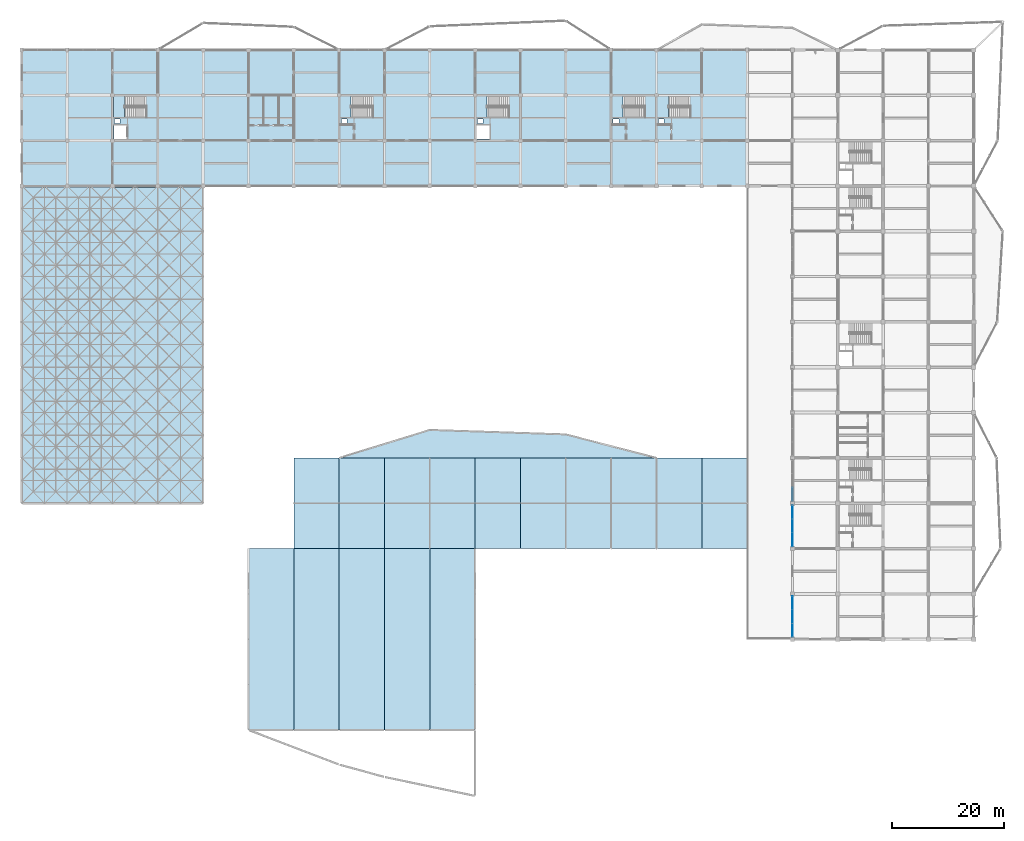
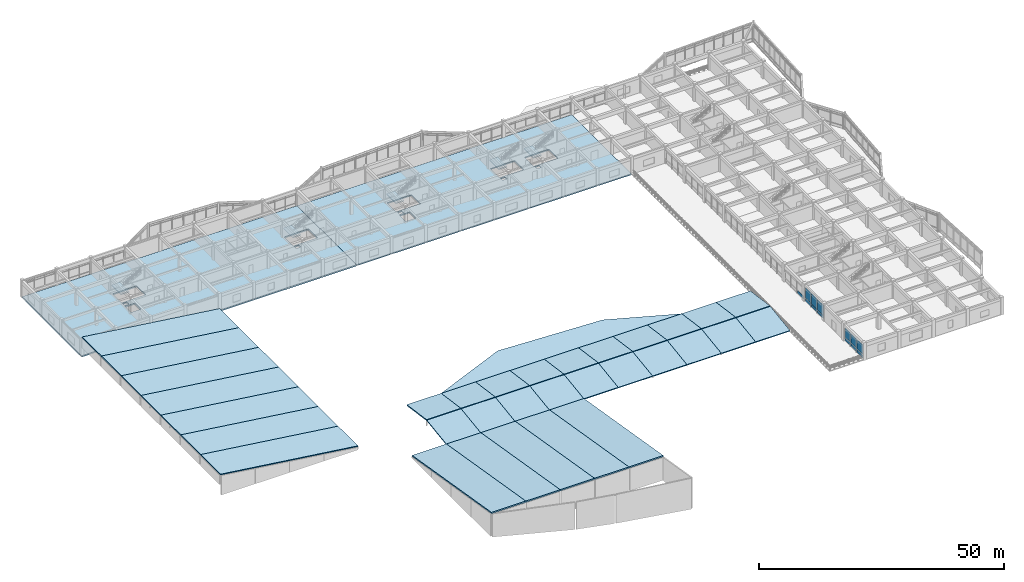
# One storey, part 40 of 70: 40 slabs, 13 plates, 8 elements without a shape of their own.
"""IFC4 building model written with IfcOpenShell, lengths in metres."""

from ifc_helpers import new_model, si_unit, direction, frame, origin, origin_2d, place, context, subcontext, project, spatial, polyline, rectangle, outline, extrude, material, layer, layer_set, type_object, element, aggregate, save


model = new_model("IFC4")

# Units and contexts
model_context = context("Model", 3, precision=1e-05, world=origin(), true_north=direction((0.0, 1.0)))
body_context = subcontext(model_context, "Body", "Model", "MODEL_VIEW")
ifc_project = project(units=[si_unit("LENGTHUNIT", "METRE"), si_unit("AREAUNIT", "SQUARE_METRE"), si_unit("VOLUMEUNIT", "CUBIC_METRE"), si_unit("PLANEANGLEUNIT", "RADIAN"), si_unit("MASSUNIT", "GRAM", prefix="KILO")], contexts=[model_context])

# Site, building, storey
site_placement = place(None, origin())
site = spatial("IfcSite", under=ifc_project, at=site_placement, CompositionType="ELEMENT")
building_placement = place(site_placement, origin())
building = spatial("IfcBuilding", under=site, at=building_placement, Name="Vaudrelin Polytechnic", CompositionType="ELEMENT")
storey_placement = place(building_placement, frame((0.0, 0.0, 14.110107421875)))
storey = spatial("IfcBuildingStorey", under=building, at=storey_placement, Name="L03", CompositionType="ELEMENT", Elevation=14.110107421875)

# Curtain wall, plates
ifc_material_1 = material(Name="Thermally broken anodised aluminium AA 6063-T6 and low-e triple glazing", Category="aluminium")
ifc_layer_1 = layer(ifc_material_1, 0.199951171875)
ifc_layer_set_1 = layer_set([ifc_layer_1], Name="Thermally broken anodised aluminium AA 6063-T6 and low-e triple glazing")
curtain_wall_type = type_object("IfcCurtainWallType", Name="CW-CW-LAB", PredefinedType="USERDEFINED", material=ifc_layer_set_1)
curtain_wall_1_placement = place(storey_placement, origin())
curtain_wall_1 = element("IfcCurtainWall", 1, at=curtain_wall_1_placement, inside=storey, type_object=curtain_wall_type, Name="Curtain wall L03 W_V4_00", ObjectType="CURTAIN WALL", PredefinedType="USERDEFINED")
ifc_material_2 = material(Name="Insulated ceramic-frit spandrel glass panel", Category="glass")
ifc_layer_2 = layer(ifc_material_2, 0.052001953125)
ifc_layer_set_2 = layer_set([ifc_layer_2], Name="Insulated ceramic-frit spandrel glass panel")
plate_type_1 = type_object("IfcPlateType", Name="PLT-GLZ-SPAND", PredefinedType="CURTAIN_PANEL", material=ifc_layer_set_2)
plate_1_placement = place(storey_placement, frame((137.699951171875, 17.798583984375, 0.08984375), z_axis=(0.0, 0.0, 1.0), x_axis=(0.0, 1.0, 0.0)))
plate_1 = element("IfcPlate", 2, at=plate_1_placement, type_object=plate_type_1, Name="W_V4_00 spandrel panel 1", PredefinedType="CURTAIN_PANEL", context=body_context, shape_type="SweptSolid", body=[
    extrude(rectangle(XDim=2.351318359375, YDim=0.052001953125, at=origin_2d()), origin(), (0.0, 0.0, 1.0), 0.699951171875),
])
plate_2_placement = place(storey_placement, frame((137.699951171875, 20.25, 0.08984375), z_axis=(0.0, 0.0, 1.0), x_axis=(0.0, 1.0, 0.0)))
plate_2 = element("IfcPlate", 3, at=plate_2_placement, type_object=plate_type_1, Name="W_V4_00 spandrel panel 2", PredefinedType="CURTAIN_PANEL", context=body_context, shape_type="SweptSolid", body=[
    extrude(rectangle(XDim=2.351318359375, YDim=0.052001953125, at=origin_2d()), origin(), (0.0, 0.0, 1.0), 0.699951171875),
])
plate_3_placement = place(storey_placement, frame((137.699951171875, 22.701416015625, 0.08984375), z_axis=(0.0, 0.0, 1.0), x_axis=(0.0, 1.0, 0.0)))
plate_3 = element("IfcPlate", 4, at=plate_3_placement, type_object=plate_type_1, Name="W_V4_00 spandrel panel 3", PredefinedType="CURTAIN_PANEL", context=body_context, shape_type="SweptSolid", body=[
    extrude(rectangle(XDim=2.351318359375, YDim=0.052001953125, at=origin_2d()), origin(), (0.0, 0.0, 1.0), 0.699951171875),
])

curtain_wall_2_placement = place(storey_placement, origin())
curtain_wall_2 = element("IfcCurtainWall", 5, at=curtain_wall_2_placement, inside=storey, type_object=curtain_wall_type, Name="Curtain wall L03 W_V4_02", ObjectType="CURTAIN WALL", PredefinedType="USERDEFINED")
plate_4_placement = place(storey_placement, frame((137.699951171875, 33.998779296875, 0.08984375), z_axis=(0.0, 0.0, 1.0), x_axis=(0.0, 1.0, 0.0)))
plate_4 = element("IfcPlate", 6, at=plate_4_placement, type_object=plate_type_1, Name="W_V4_02 spandrel panel 1", PredefinedType="CURTAIN_PANEL", context=body_context, shape_type="SweptSolid", body=[
    extrude(rectangle(XDim=2.351318359375, YDim=0.052001953125, at=origin_2d()), origin(), (0.0, 0.0, 1.0), 0.699951171875),
])
plate_5_placement = place(storey_placement, frame((137.699951171875, 36.449951171875, 0.08984375), z_axis=(0.0, 0.0, 1.0), x_axis=(0.0, 1.0, 0.0)))
plate_5 = element("IfcPlate", 7, at=plate_5_placement, type_object=plate_type_1, Name="W_V4_02 spandrel panel 2", PredefinedType="CURTAIN_PANEL", context=body_context, shape_type="SweptSolid", body=[
    extrude(rectangle(XDim=2.351318359375, YDim=0.052001953125, at=origin_2d()), origin(), (0.0, 0.0, 1.0), 0.699951171875),
])
plate_6_placement = place(storey_placement, frame((137.699951171875, 38.9013671875, 0.08984375), z_axis=(0.0, 0.0, 1.0), x_axis=(0.0, 1.0, 0.0)))
plate_6 = element("IfcPlate", 8, at=plate_6_placement, type_object=plate_type_1, Name="W_V4_02 spandrel panel 3", PredefinedType="CURTAIN_PANEL", context=body_context, shape_type="SweptSolid", body=[
    extrude(rectangle(XDim=2.351318359375, YDim=0.052001953125, at=origin_2d()), origin(), (0.0, 0.0, 1.0), 0.699951171875),
])

# Curtain wall, plate
curtain_wall_3_placement = place(storey_placement, origin())
curtain_wall_3 = element("IfcCurtainWall", 9, at=curtain_wall_3_placement, inside=storey, type_object=curtain_wall_type, Name="Curtain wall L03 W_V4_03", ObjectType="CURTAIN WALL", PredefinedType="USERDEFINED")
plate_7_placement = place(storey_placement, frame((137.699951171875, 42.0986328125, 0.08984375), z_axis=(0.0, 0.0, 1.0), x_axis=(0.0, 1.0, 0.0)))
plate_7 = element("IfcPlate", 10, at=plate_7_placement, type_object=plate_type_1, Name="W_V4_03 spandrel panel 1", PredefinedType="CURTAIN_PANEL", context=body_context, shape_type="SweptSolid", body=[
    extrude(rectangle(XDim=2.351318359375, YDim=0.052001953125, at=origin_2d()), origin(), (0.0, 0.0, 1.0), 0.699951171875),
])
aggregate(curtain_wall_3, [plate_7])

# Plate
ifc_material_3 = material(Name="Triple low-e argon insulated glazing unit", Category="glass")
ifc_layer_3 = layer(ifc_material_3, 0.0439453125)
ifc_layer_set_3 = layer_set([ifc_layer_3], Name="Triple low-e argon insulated glazing unit")
plate_type_2 = type_object("IfcPlateType", Name="PLT-GLZ-TRIPLE", PredefinedType="CURTAIN_PANEL", material=ifc_layer_set_3)
plate_8_placement = place(storey_placement, frame((137.699951171875, 17.798583984375, 0.89990234375), z_axis=(0.0, 0.0, 1.0), x_axis=(0.0, 1.0, 0.0)))
plate_8 = element("IfcPlate", 11, at=plate_8_placement, type_object=plate_type_2, Name="W_V4_00 vision panel 1", PredefinedType="CURTAIN_PANEL", context=body_context, shape_type="SweptSolid", body=[
    extrude(rectangle(XDim=2.351318359375, YDim=0.0439453125, at=origin_2d()), origin(), (0.0, 0.0, 1.0), 2.412109375),
])

plate_9_placement = place(storey_placement, frame((137.699951171875, 20.25, 0.89990234375), z_axis=(0.0, 0.0, 1.0), x_axis=(0.0, 1.0, 0.0)))
plate_9 = element("IfcPlate", 12, at=plate_9_placement, type_object=plate_type_2, Name="W_V4_00 vision panel 2", PredefinedType="CURTAIN_PANEL", context=body_context, shape_type="SweptSolid", body=[
    extrude(rectangle(XDim=2.351318359375, YDim=0.0439453125, at=origin_2d()), origin(), (0.0, 0.0, 1.0), 2.412109375),
])

plate_10_placement = place(storey_placement, frame((137.699951171875, 22.701416015625, 0.89990234375), z_axis=(0.0, 0.0, 1.0), x_axis=(0.0, 1.0, 0.0)))
plate_10 = element("IfcPlate", 13, at=plate_10_placement, type_object=plate_type_2, Name="W_V4_00 vision panel 3", PredefinedType="CURTAIN_PANEL", context=body_context, shape_type="SweptSolid", body=[
    extrude(rectangle(XDim=2.351318359375, YDim=0.0439453125, at=origin_2d()), origin(), (0.0, 0.0, 1.0), 2.412109375),
])

aggregate(curtain_wall_1, [plate_1, plate_8, plate_2, plate_9, plate_3, plate_10])

plate_11_placement = place(storey_placement, frame((137.699951171875, 33.998779296875, 0.89990234375), z_axis=(0.0, 0.0, 1.0), x_axis=(0.0, 1.0, 0.0)))
plate_11 = element("IfcPlate", 14, at=plate_11_placement, type_object=plate_type_2, Name="W_V4_02 vision panel 1", PredefinedType="CURTAIN_PANEL", context=body_context, shape_type="SweptSolid", body=[
    extrude(rectangle(XDim=2.351318359375, YDim=0.0439453125, at=origin_2d()), origin(), (0.0, 0.0, 1.0), 2.56201171875),
])

plate_12_placement = place(storey_placement, frame((137.699951171875, 36.449951171875, 0.89990234375), z_axis=(0.0, 0.0, 1.0), x_axis=(0.0, 1.0, 0.0)))
plate_12 = element("IfcPlate", 15, at=plate_12_placement, type_object=plate_type_2, Name="W_V4_02 vision panel 2", PredefinedType="CURTAIN_PANEL", context=body_context, shape_type="SweptSolid", body=[
    extrude(rectangle(XDim=2.351318359375, YDim=0.0439453125, at=origin_2d()), origin(), (0.0, 0.0, 1.0), 2.56201171875),
])

plate_13_placement = place(storey_placement, frame((137.699951171875, 38.9013671875, 0.89990234375), z_axis=(0.0, 0.0, 1.0), x_axis=(0.0, 1.0, 0.0)))
plate_13 = element("IfcPlate", 16, at=plate_13_placement, type_object=plate_type_2, Name="W_V4_02 vision panel 3", PredefinedType="CURTAIN_PANEL", context=body_context, shape_type="SweptSolid", body=[
    extrude(rectangle(XDim=2.351318359375, YDim=0.0439453125, at=origin_2d()), origin(), (0.0, 0.0, 1.0), 2.56201171875),
])

aggregate(curtain_wall_2, [plate_4, plate_11, plate_5, plate_12, plate_6, plate_13])

# Stair, slab
ifc_material_4 = material(Name="Concrete 35 MPa", Category="concrete")
stair_type = type_object("IfcStairType", Name="STR-ST-CORE", PredefinedType="TWO_STRAIGHT_RUN_STAIR", material=ifc_material_4)
stair_1_placement = place(storey_placement, origin())
stair_1 = element("IfcStair", 17, at=stair_1_placement, inside=storey, type_object=stair_type, Name="Exit stair ST-01-L03", PredefinedType="TWO_STRAIGHT_RUN_STAIR")
ifc_layer_4 = layer(ifc_material_4, 0.219970703125)
ifc_layer_set_4 = layer_set([ifc_layer_4], Name="Concrete 35 MPa")
slab_type_1 = type_object("IfcSlabType", Name="SLB-LND220", PredefinedType="LANDING", material=ifc_layer_set_4)
slab_1_placement = place(storey_placement, frame((0.0, 0.0, 1.989990234375)))
slab_1 = element("IfcSlab", 18, at=slab_1_placement, type_object=slab_type_1, Name="ST-01-L03 landing 1", PredefinedType="LANDING", context=body_context, shape_type="SweptSolid", body=[
    extrude(outline(polyline([(16.340087890625, 109.4599609375), (18.31005859375, 109.4599609375), (18.31005859375, 113.300048828125), (16.340087890625, 113.300048828125), (16.340087890625, 109.4599609375)])), origin(), (0.0, 0.0, 1.0), 0.219970703125),
])
aggregate(stair_1, [slab_1])

stair_2_placement = place(storey_placement, origin())
stair_2 = element("IfcStair", 19, at=stair_2_placement, inside=storey, type_object=stair_type, Name="Exit stair ST-02-L03", PredefinedType="TWO_STRAIGHT_RUN_STAIR")
slab_2_placement = place(storey_placement, frame((0.0, 0.0, 1.989990234375)))
slab_2 = element("IfcSlab", 20, at=slab_2_placement, type_object=slab_type_1, Name="ST-02-L03 landing 1", PredefinedType="LANDING", context=body_context, shape_type="SweptSolid", body=[
    extrude(outline(polyline([(81.139892578125, 109.4599609375), (83.110107421875, 109.4599609375), (83.110107421875, 113.300048828125), (81.139892578125, 113.300048828125), (81.139892578125, 109.4599609375)])), origin(), (0.0, 0.0, 1.0), 0.219970703125),
])
aggregate(stair_2, [slab_2])

stair_3_placement = place(storey_placement, origin())
stair_3 = element("IfcStair", 21, at=stair_3_placement, inside=storey, type_object=stair_type, Name="Exit stair ST-09-L03", PredefinedType="TWO_STRAIGHT_RUN_STAIR")
slab_3_placement = place(storey_placement, frame((0.0, 0.0, 1.989990234375)))
slab_3 = element("IfcSlab", 22, at=slab_3_placement, type_object=slab_type_1, Name="ST-09-L03 landing 1", PredefinedType="LANDING", context=body_context, shape_type="SweptSolid", body=[
    extrude(outline(polyline([(56.840087890625, 109.4599609375), (58.81005859375, 109.4599609375), (58.81005859375, 113.300048828125), (56.840087890625, 113.300048828125), (56.840087890625, 109.4599609375)])), origin(), (0.0, 0.0, 1.0), 0.219970703125),
])
aggregate(stair_3, [slab_3])

stair_4_placement = place(storey_placement, origin())
stair_4 = element("IfcStair", 23, at=stair_4_placement, inside=storey, type_object=stair_type, Name="Exit stair ST-10-L03", PredefinedType="TWO_STRAIGHT_RUN_STAIR")
slab_4_placement = place(storey_placement, frame((0.0, 0.0, 1.989990234375)))
slab_4 = element("IfcSlab", 24, at=slab_4_placement, type_object=slab_type_1, Name="ST-10-L03 landing 1", PredefinedType="LANDING", context=body_context, shape_type="SweptSolid", body=[
    extrude(outline(polyline([(113.5400390625, 109.4599609375), (115.510009765625, 109.4599609375), (115.510009765625, 113.300048828125), (113.5400390625, 113.300048828125), (113.5400390625, 109.4599609375)])), origin(), (0.0, 0.0, 1.0), 0.219970703125),
])
aggregate(stair_4, [slab_4])

stair_5_placement = place(storey_placement, origin())
stair_5 = element("IfcStair", 25, at=stair_5_placement, inside=storey, type_object=stair_type, Name="Exit stair ST-11-L03", PredefinedType="TWO_STRAIGHT_RUN_STAIR")
slab_5_placement = place(storey_placement, frame((0.0, 0.0, 1.989990234375)))
slab_5 = element("IfcSlab", 26, at=slab_5_placement, type_object=slab_type_1, Name="ST-11-L03 landing 1", PredefinedType="LANDING", context=body_context, shape_type="SweptSolid", body=[
    extrude(outline(polyline([(105.43994140625, 109.4599609375), (107.409912109375, 109.4599609375), (107.409912109375, 113.300048828125), (105.43994140625, 113.300048828125), (105.43994140625, 109.4599609375)])), origin(), (0.0, 0.0, 1.0), 0.219970703125),
])
aggregate(stair_5, [slab_5])

# Slabs
ifc_layer_5 = layer(ifc_material_4, 0.280029296875)
ifc_layer_set_5 = layer_set([ifc_layer_5], Name="Concrete 35 MPa")
slab_type_2 = type_object("IfcSlabType", Name="SLB-SL-F280", PredefinedType="FLOOR", material=ifc_layer_set_5)
slab_6_placement = place(storey_placement, frame((0.0, 0.0, -0.280029296875)))
element("IfcSlab", 27, at=slab_6_placement, inside=storey, type_object=slab_type_2, Name="L03 floor slab V5-E", PredefinedType="FLOOR", context=body_context, shape_type="SweptSolid", body=[
    extrude(outline(polyline([(64.800048828125, 97.199951171875), (129.60009765625, 97.199951171875), (129.60009765625, 121.5), (64.800048828125, 121.5), (64.800048828125, 97.199951171875)]), holes=[polyline([(81.25, 109.510009765625), (87.0, 109.510009765625), (87.0, 113.14990234375), (81.25, 113.14990234375), (81.25, 109.510009765625)]), polyline([(81.25, 105.550048828125), (83.580078125, 105.550048828125), (83.580078125, 108.030029296875), (81.25, 108.030029296875), (81.25, 105.550048828125)]), polyline([(81.3798828125, 108.3798828125), (82.3798828125, 108.3798828125), (82.3798828125, 109.179931640625), (81.3798828125, 109.179931640625), (81.3798828125, 108.3798828125)]), polyline([(113.64990234375, 109.510009765625), (119.39990234375, 109.510009765625), (119.39990234375, 113.14990234375), (113.64990234375, 113.14990234375), (113.64990234375, 109.510009765625)]), polyline([(113.780029296875, 108.3798828125), (114.780029296875, 108.3798828125), (114.780029296875, 109.179931640625), (113.780029296875, 109.179931640625), (113.780029296875, 108.3798828125)]), polyline([(105.550048828125, 109.510009765625), (111.300048828125, 109.510009765625), (111.300048828125, 113.14990234375), (105.550048828125, 113.14990234375), (105.550048828125, 109.510009765625)]), polyline([(105.679931640625, 108.3798828125), (106.679931640625, 108.3798828125), (106.679931640625, 109.179931640625), (105.679931640625, 109.179931640625), (105.679931640625, 108.3798828125)])]), origin(), (0.0, 0.0, 1.0), 0.280029296875),
])
ifc_layer_6 = layer(ifc_material_4, 0.219970703125)
ifc_layer_set_6 = layer_set([ifc_layer_6], Name="Concrete 35 MPa")
slab_type_3 = type_object("IfcSlabType", Name="SLB-SL-RF220", PredefinedType="ROOF", material=ifc_layer_set_6)
slab_7_placement = place(storey_placement, frame((48.60009765625, 32.39990234375, 0.219970703125), z_axis=(0.0, -0.13985497152, 0.990171998665), x_axis=(1.0, 0.0, 0.0)))
element("IfcSlab", 28, at=slab_7_placement, inside=storey, type_object=slab_type_3, Name="Winter-garden south skylight roof 6", PredefinedType="ROOF", context=body_context, shape_type="SweptSolid", body=[
    extrude(outline(polyline([(0.0, 0.0), (8.099853515625, 0.0), (8.099853515625, 8.1400591055027), (0.0, 8.1400591055027), (0.0, 0.0)])), origin(), (0.0, 0.0, -1.0), 0.219970703125),
])
slab_8_placement = place(storey_placement, frame((56.699951171875, 32.39990234375, 0.219970703125), z_axis=(0.0, -0.13985497152, 0.990171998665), x_axis=(1.0, 0.0, 0.0)))
element("IfcSlab", 29, at=slab_8_placement, inside=storey, type_object=slab_type_3, Name="Winter-garden south skylight roof 7", PredefinedType="ROOF", context=body_context, shape_type="SweptSolid", body=[
    extrude(outline(polyline([(0.0, 0.0), (8.10009765625, 0.0), (8.10009765625, 8.1400591055027), (0.0, 8.1400591055027), (0.0, 0.0)])), origin(), (0.0, 0.0, -1.0), 0.219970703125),
])
slab_9_placement = place(storey_placement, frame((64.800048828125, 32.39990234375, 0.219970703125), z_axis=(0.0, -0.13985497152, 0.990171998665), x_axis=(1.0, 0.0, 0.0)))
element("IfcSlab", 30, at=slab_9_placement, inside=storey, type_object=slab_type_3, Name="Winter-garden south skylight roof 8", PredefinedType="ROOF", context=body_context, shape_type="SweptSolid", body=[
    extrude(outline(polyline([(0.0, 0.0), (8.099853515625, 0.0), (8.099853515625, 8.1400591055027), (0.0, 8.1400591055027), (0.0, 0.0)])), origin(), (0.0, 0.0, -1.0), 0.219970703125),
])
for number, where, z_axis, x_axis, name in (
    (31, (72.89990234375, 32.39990234375, 0.219970703125), (0.0, -0.13985497152, 0.990171998665), (1.0, 0.0, 0.0), "Winter-garden south skylight roof 9"),
    (32, (81.0, 32.39990234375, 0.219970703125), (0.0, -0.13985497152, 0.990171998665), (1.0, 0.0, 0.0), "Winter-garden south skylight roof 10"),
):
    element("IfcSlab", number, at=place(storey_placement, frame(where, z_axis=z_axis, x_axis=x_axis)), inside=storey, type_object=slab_type_3, Name=name, PredefinedType="ROOF", context=body_context, shape_type="SweptSolid", body=[
        extrude(outline(polyline([(0.0, 0.0), (8.10009765625, 0.0), (8.10009765625, 8.1400591055027), (0.0, 8.1400591055027), (0.0, 0.0)])), origin(), (0.0, 0.0, -1.0), 0.219970703125),
    ])
slab_10_placement = place(storey_placement, frame((89.10009765625, 32.39990234375, 0.219970703125), z_axis=(0.0, -0.13985497152, 0.990171998665), x_axis=(1.0, 0.0, 0.0)))
element("IfcSlab", 33, at=slab_10_placement, inside=storey, type_object=slab_type_3, Name="Winter-garden south skylight roof 11", PredefinedType="ROOF", context=body_context, shape_type="SweptSolid", body=[
    extrude(outline(polyline([(0.0, 0.0), (8.099853515625, 0.0), (8.099853515625, 8.1400591055027), (0.0, 8.1400591055027), (0.0, 0.0)])), origin(), (0.0, 0.0, -1.0), 0.219970703125),
])
slab_11_placement = place(storey_placement, frame((97.199951171875, 32.39990234375, 0.219970703125), z_axis=(0.0, -0.13985497152, 0.990171998665), x_axis=(1.0, 0.0, 0.0)))
element("IfcSlab", 34, at=slab_11_placement, inside=storey, type_object=slab_type_3, Name="Winter-garden south skylight roof 12", PredefinedType="ROOF", context=body_context, shape_type="SweptSolid", body=[
    extrude(outline(polyline([(0.0, 0.0), (8.10009765625, 0.0), (8.10009765625, 8.1400591055027), (0.0, 8.1400591055027), (0.0, 0.0)])), origin(), (0.0, 0.0, -1.0), 0.219970703125),
])
slab_12_placement = place(storey_placement, frame((105.300048828125, 32.39990234375, 0.219970703125), z_axis=(0.0, -0.13985497152, 0.990171998665), x_axis=(1.0, 0.0, 0.0)))
element("IfcSlab", 35, at=slab_12_placement, inside=storey, type_object=slab_type_3, Name="Winter-garden south skylight roof 13", PredefinedType="ROOF", context=body_context, shape_type="SweptSolid", body=[
    extrude(outline(polyline([(0.0, 0.0), (8.099853515625, 0.0), (8.099853515625, 8.1400591055027), (0.0, 8.1400591055027), (0.0, 0.0)])), origin(), (0.0, 0.0, -1.0), 0.219970703125),
])
for number, where, z_axis, x_axis, name in (
    (36, (113.39990234375, 32.39990234375, 0.219970703125), (0.0, -0.13985497152, 0.990171998665), (1.0, 0.0, 0.0), "Winter-garden south skylight roof 14"),
    (37, (121.5, 32.39990234375, 0.219970703125), (0.0, -0.13985497152, 0.990171998665), (1.0, 0.0, 0.0), "Winter-garden south skylight roof 15"),
):
    element("IfcSlab", number, at=place(storey_placement, frame(where, z_axis=z_axis, x_axis=x_axis)), inside=storey, type_object=slab_type_3, Name=name, PredefinedType="ROOF", context=body_context, shape_type="SweptSolid", body=[
        extrude(outline(polyline([(0.0, 0.0), (8.10009765625, 0.0), (8.10009765625, 8.1400591055027), (0.0, 8.1400591055027), (0.0, 0.0)])), origin(), (0.0, 0.0, -1.0), 0.219970703125),
    ])
ifc_layer_7 = layer(ifc_material_4, 0.22998046875)
ifc_layer_set_7 = layer_set([ifc_layer_7], Name="Concrete 35 MPa")
slab_type_4 = type_object("IfcSlabType", Name="SLB-SL-RF230", PredefinedType="ROOF", material=ifc_layer_set_7)
slab_13_placement = place(storey_placement, frame((0.0, 40.5, 4.8623046875), z_axis=(0.130521764428, 0.0, 0.991445444294), x_axis=(0.991445444294, 0.0, -0.130521764428)))
element("IfcSlab", 38, at=slab_13_placement, inside=storey, type_object=slab_type_4, Name="Workshop space-frame sloped roof panel 5", PredefinedType="ROOF", context=body_context, shape_type="SweptSolid", body=[
    extrude(outline(polyline([(0.0, 0.0), (32.679460609992624, 0.0), (32.679460609992624, 8.10009765625), (0.0, 8.10009765625), (0.0, 0.0)])), origin(), (0.0, 0.0, -1.0), 0.22998046875),
])
slab_14_placement = place(storey_placement, frame((0.0, 48.60009765625, 4.8623046875), z_axis=(0.130521764428, 0.0, 0.991445444294), x_axis=(0.991445444294, 0.0, -0.130521764428)))
element("IfcSlab", 39, at=slab_14_placement, inside=storey, type_object=slab_type_4, Name="Workshop space-frame sloped roof panel 6", PredefinedType="ROOF", context=body_context, shape_type="SweptSolid", body=[
    extrude(outline(polyline([(0.0, 0.0), (32.679460609992624, 0.0), (32.679460609992624, 8.099853515625), (0.0, 8.099853515625), (0.0, 0.0)])), origin(), (0.0, 0.0, -1.0), 0.22998046875),
])
slab_15_placement = place(storey_placement, frame((0.0, 56.699951171875, 4.8623046875), z_axis=(0.130521764428, 0.0, 0.991445444294), x_axis=(0.991445444294, 0.0, -0.130521764428)))
element("IfcSlab", 40, at=slab_15_placement, inside=storey, type_object=slab_type_4, Name="Workshop space-frame sloped roof panel 7", PredefinedType="ROOF", context=body_context, shape_type="SweptSolid", body=[
    extrude(outline(polyline([(0.0, 0.0), (32.679460609992624, 0.0), (32.679460609992624, 8.10009765625), (0.0, 8.10009765625), (0.0, 0.0)])), origin(), (0.0, 0.0, -1.0), 0.22998046875),
])
slab_16_placement = place(storey_placement, frame((0.0, 64.800048828125, 4.8623046875), z_axis=(0.130521764428, 0.0, 0.991445444294), x_axis=(0.991445444294, 0.0, -0.130521764428)))
element("IfcSlab", 41, at=slab_16_placement, inside=storey, type_object=slab_type_4, Name="Workshop space-frame sloped roof panel 8", PredefinedType="ROOF", context=body_context, shape_type="SweptSolid", body=[
    extrude(outline(polyline([(0.0, 0.0), (32.679460609992624, 0.0), (32.679460609992624, 8.099853515625), (0.0, 8.099853515625), (0.0, 0.0)])), origin(), (0.0, 0.0, -1.0), 0.22998046875),
])
for number, where, z_axis, x_axis, name in (
    (42, (0.0, 72.89990234375, 4.8623046875), (0.130521764428, 0.0, 0.991445444294), (0.991445444294, 0.0, -0.130521764428), "Workshop space-frame sloped roof panel 9"),
    (43, (0.0, 81.0, 4.8623046875), (0.130521764428, 0.0, 0.991445444294), (0.991445444294, 0.0, -0.130521764428), "Workshop space-frame sloped roof panel 10"),
):
    element("IfcSlab", number, at=place(storey_placement, frame(where, z_axis=z_axis, x_axis=x_axis)), inside=storey, type_object=slab_type_4, Name=name, PredefinedType="ROOF", context=body_context, shape_type="SweptSolid", body=[
        extrude(outline(polyline([(0.0, 0.0), (32.679460609992624, 0.0), (32.679460609992624, 8.10009765625), (0.0, 8.10009765625), (0.0, 0.0)])), origin(), (0.0, 0.0, -1.0), 0.22998046875),
    ])
slab_17_placement = place(storey_placement, frame((0.0, 89.10009765625, 4.8623046875), z_axis=(0.130521764428, 0.0, 0.991445444294), x_axis=(0.991445444294, 0.0, -0.130521764428)))
element("IfcSlab", 44, at=slab_17_placement, inside=storey, type_object=slab_type_4, Name="Workshop space-frame sloped roof panel 11", PredefinedType="ROOF", context=body_context, shape_type="SweptSolid", body=[
    extrude(outline(polyline([(0.0, 0.0), (32.679460609992624, 0.0), (32.679460609992624, 7.849853515625), (0.0, 7.849853515625), (0.0, 0.0)])), origin(), (0.0, 0.0, -1.0), 0.22998046875),
])
ifc_layer_8 = layer(ifc_material_4, 0.2451171875)
ifc_layer_set_8 = layer_set([ifc_layer_8], Name="Concrete 35 MPa")
slab_type_5 = type_object("IfcSlabType", Name="SLB-SL-RF245", PredefinedType="ROOF", material=ifc_layer_set_8)
slab_18_placement = place(storey_placement, frame((56.699951171875, 48.60009765625, 0.260009765625), z_axis=(-6.00247e-07, -0.355206055268, 0.934788028539), x_axis=(0.949579566993, 0.293080288024, 0.111366919333)))
element("IfcSlab", 45, at=slab_18_placement, inside=storey, type_object=slab_type_5, Name="Deconstructivist raked pod roof CT_OR1", PredefinedType="ROOF", context=body_context, shape_type="SweptSolid", body=[
    extrude(outline(polyline([(0.0, 0.0), (17.06013033026895, -7.771561172376096e-16), (39.866631092732845, -8.431391512481017), (53.84111508229215, -17.776917325206416), (0.0, 0.0)])), origin(), (0.0, 0.0, -1.0), 0.2451171875),
])
ifc_layer_9 = layer(ifc_material_4, 0.27490234375)
ifc_layer_set_9 = layer_set([ifc_layer_9], Name="Concrete 35 MPa")
slab_type_6 = type_object("IfcSlabType", Name="SLB-SL-RF275", PredefinedType="ROOF", material=ifc_layer_set_9)
slab_19_placement = place(storey_placement, frame((48.60009765625, 40.5400390625, 1.413330078125), z_axis=(0.0, 0.13985497152, 0.990171998665), x_axis=(1.0, 0.0, 0.0)))
element("IfcSlab", 46, at=slab_19_placement, inside=storey, type_object=slab_type_6, Name="Winter-garden north skylight roof 6", PredefinedType="ROOF", context=body_context, shape_type="SweptSolid", body=[
    extrude(outline(polyline([(0.0, 0.0), (8.099853515625, 0.0), (8.099853515625, 8.1400591055027), (0.0, 8.1400591055027), (0.0, 0.0)])), origin(), (0.0, 0.0, -1.0), 0.27490234375),
])
slab_20_placement = place(storey_placement, frame((56.699951171875, 40.5400390625, 1.413330078125), z_axis=(0.0, 0.13985497152, 0.990171998665), x_axis=(1.0, 0.0, 0.0)))
element("IfcSlab", 47, at=slab_20_placement, inside=storey, type_object=slab_type_6, Name="Winter-garden north skylight roof 7", PredefinedType="ROOF", context=body_context, shape_type="SweptSolid", body=[
    extrude(outline(polyline([(0.0, 0.0), (8.10009765625, 0.0), (8.10009765625, 8.1400591055027), (0.0, 8.1400591055027), (0.0, 0.0)])), origin(), (0.0, 0.0, -1.0), 0.27490234375),
])
slab_21_placement = place(storey_placement, frame((64.800048828125, 40.5400390625, 1.413330078125), z_axis=(0.0, 0.13985497152, 0.990171998665), x_axis=(1.0, 0.0, 0.0)))
element("IfcSlab", 48, at=slab_21_placement, inside=storey, type_object=slab_type_6, Name="Winter-garden north skylight roof 8", PredefinedType="ROOF", context=body_context, shape_type="SweptSolid", body=[
    extrude(outline(polyline([(0.0, 0.0), (8.099853515625, 0.0), (8.099853515625, 8.1400591055027), (0.0, 8.1400591055027), (0.0, 0.0)])), origin(), (0.0, 0.0, -1.0), 0.27490234375),
])
for number, where, z_axis, x_axis, name in (
    (49, (72.89990234375, 40.5400390625, 1.413330078125), (0.0, 0.13985497152, 0.990171998665), (1.0, 0.0, 0.0), "Winter-garden north skylight roof 9"),
    (50, (81.0, 40.5400390625, 1.413330078125), (0.0, 0.13985497152, 0.990171998665), (1.0, 0.0, 0.0), "Winter-garden north skylight roof 10"),
):
    element("IfcSlab", number, at=place(storey_placement, frame(where, z_axis=z_axis, x_axis=x_axis)), inside=storey, type_object=slab_type_6, Name=name, PredefinedType="ROOF", context=body_context, shape_type="SweptSolid", body=[
        extrude(outline(polyline([(0.0, 0.0), (8.10009765625, 0.0), (8.10009765625, 8.1400591055027), (0.0, 8.1400591055027), (0.0, 0.0)])), origin(), (0.0, 0.0, -1.0), 0.27490234375),
    ])
slab_22_placement = place(storey_placement, frame((89.10009765625, 40.5400390625, 1.413330078125), z_axis=(0.0, 0.13985497152, 0.990171998665), x_axis=(1.0, 0.0, 0.0)))
element("IfcSlab", 51, at=slab_22_placement, inside=storey, type_object=slab_type_6, Name="Winter-garden north skylight roof 11", PredefinedType="ROOF", context=body_context, shape_type="SweptSolid", body=[
    extrude(outline(polyline([(0.0, 0.0), (8.099853515625, 0.0), (8.099853515625, 8.1400591055027), (0.0, 8.1400591055027), (0.0, 0.0)])), origin(), (0.0, 0.0, -1.0), 0.27490234375),
])
slab_23_placement = place(storey_placement, frame((97.199951171875, 40.5400390625, 1.413330078125), z_axis=(0.0, 0.13985497152, 0.990171998665), x_axis=(1.0, 0.0, 0.0)))
element("IfcSlab", 52, at=slab_23_placement, inside=storey, type_object=slab_type_6, Name="Winter-garden north skylight roof 12", PredefinedType="ROOF", context=body_context, shape_type="SweptSolid", body=[
    extrude(outline(polyline([(0.0, 0.0), (8.10009765625, 0.0), (8.10009765625, 8.1400591055027), (0.0, 8.1400591055027), (0.0, 0.0)])), origin(), (0.0, 0.0, -1.0), 0.27490234375),
])
slab_24_placement = place(storey_placement, frame((105.300048828125, 40.5400390625, 1.413330078125), z_axis=(0.0, 0.13985497152, 0.990171998665), x_axis=(1.0, 0.0, 0.0)))
element("IfcSlab", 53, at=slab_24_placement, inside=storey, type_object=slab_type_6, Name="Winter-garden north skylight roof 13", PredefinedType="ROOF", context=body_context, shape_type="SweptSolid", body=[
    extrude(outline(polyline([(0.0, 0.0), (8.099853515625, 0.0), (8.099853515625, 8.1400591055027), (0.0, 8.1400591055027), (0.0, 0.0)])), origin(), (0.0, 0.0, -1.0), 0.27490234375),
])
for number, where, z_axis, x_axis, name in (
    (54, (113.39990234375, 40.5400390625, 1.413330078125), (0.0, 0.13985497152, 0.990171998665), (1.0, 0.0, 0.0), "Winter-garden north skylight roof 14"),
    (55, (121.5, 40.5400390625, 1.413330078125), (0.0, 0.13985497152, 0.990171998665), (1.0, 0.0, 0.0), "Winter-garden north skylight roof 15"),
):
    element("IfcSlab", number, at=place(storey_placement, frame(where, z_axis=z_axis, x_axis=x_axis)), inside=storey, type_object=slab_type_6, Name=name, PredefinedType="ROOF", context=body_context, shape_type="SweptSolid", body=[
        extrude(outline(polyline([(0.0, 0.0), (8.10009765625, 0.0), (8.10009765625, 8.1400591055027), (0.0, 8.1400591055027), (0.0, 0.0)])), origin(), (0.0, 0.0, -1.0), 0.27490234375),
    ])
ifc_layer_10 = layer(ifc_material_4, 0.300048828125)
ifc_layer_set_10 = layer_set([ifc_layer_10], Name="Concrete 35 MPa")
slab_type_7 = type_object("IfcSlabType", Name="SLB-SL-RF300", PredefinedType="ROOF", material=ifc_layer_set_10)
slab_25_placement = place(storey_placement, frame((40.5, 0.0, 5.7216796875), z_axis=(0.0, 0.165047333664, 0.986285647087), x_axis=(1.0, 0.0, 0.0)))
element("IfcSlab", 56, at=slab_25_placement, inside=storey, type_object=slab_type_7, Name="Lecture wedge sloped acoustic roof 5", PredefinedType="ROOF", context=body_context, shape_type="SweptSolid", body=[
    extrude(outline(polyline([(0.0, 0.0), (8.10009765625, 0.0), (8.10009765625, 32.85042466088013), (0.0, 32.85042466088013), (0.0, 0.0)])), origin(), (0.0, 0.0, -1.0), 0.300048828125),
])
slab_26_placement = place(storey_placement, frame((48.60009765625, 0.0, 5.7216796875), z_axis=(0.0, 0.165047333664, 0.986285647087), x_axis=(1.0, 0.0, 0.0)))
element("IfcSlab", 57, at=slab_26_placement, inside=storey, type_object=slab_type_7, Name="Lecture wedge sloped acoustic roof 6", PredefinedType="ROOF", context=body_context, shape_type="SweptSolid", body=[
    extrude(outline(polyline([(0.0, 0.0), (8.099853515625, 0.0), (8.099853515625, 32.85042466088014), (0.0, 32.85042466088014), (0.0, 0.0)])), origin(), (0.0, 0.0, -1.0), 0.300048828125),
])
slab_27_placement = place(storey_placement, frame((56.699951171875, 0.0, 5.7216796875), z_axis=(0.0, 0.165047333664, 0.986285647087), x_axis=(1.0, 0.0, 0.0)))
element("IfcSlab", 58, at=slab_27_placement, inside=storey, type_object=slab_type_7, Name="Lecture wedge sloped acoustic roof 7", PredefinedType="ROOF", context=body_context, shape_type="SweptSolid", body=[
    extrude(outline(polyline([(0.0, 0.0), (8.10009765625, 0.0), (8.10009765625, 32.85042466088013), (0.0, 32.85042466088013), (0.0, 0.0)])), origin(), (0.0, 0.0, -1.0), 0.300048828125),
])
slab_28_placement = place(storey_placement, frame((64.800048828125, 0.0, 5.7216796875), z_axis=(0.0, 0.165047333664, 0.986285647087), x_axis=(1.0, 0.0, 0.0)))
element("IfcSlab", 59, at=slab_28_placement, inside=storey, type_object=slab_type_7, Name="Lecture wedge sloped acoustic roof 8", PredefinedType="ROOF", context=body_context, shape_type="SweptSolid", body=[
    extrude(outline(polyline([(0.0, 0.0), (8.099853515625, 0.0), (8.099853515625, 32.85042466088014), (0.0, 32.85042466088014), (0.0, 0.0)])), origin(), (0.0, 0.0, -1.0), 0.300048828125),
])
slab_29_placement = place(storey_placement, frame((72.89990234375, 0.0, 5.7216796875), z_axis=(0.0, 0.165047333664, 0.986285647087), x_axis=(1.0, 0.0, 0.0)))
element("IfcSlab", 60, at=slab_29_placement, inside=storey, type_object=slab_type_7, Name="Lecture wedge sloped acoustic roof 9", PredefinedType="ROOF", context=body_context, shape_type="SweptSolid", body=[
    extrude(outline(polyline([(0.0, 0.0), (8.10009765625, 0.0), (8.10009765625, 32.85042466088013), (0.0, 32.85042466088013), (0.0, 0.0)])), origin(), (0.0, 0.0, -1.0), 0.300048828125),
])
ifc_layer_11 = layer(ifc_material_4, 0.340087890625)
ifc_layer_set_11 = layer_set([ifc_layer_11], Name="Concrete 35 MPa")
slab_type_8 = type_object("IfcSlabType", Name="SLB-SL-ST340", PredefinedType="FLOOR", material=ifc_layer_set_11)
slab_30_placement = place(storey_placement, frame((0.0, 0.0, -0.340087890625)))
element("IfcSlab", 61, at=slab_30_placement, inside=storey, type_object=slab_type_8, Name="L03 floor slab V5-W", PredefinedType="FLOOR", context=body_context, shape_type="SweptSolid", body=[
    extrude(outline(polyline([(0.0, 97.199951171875), (64.800048828125, 97.199951171875), (64.800048828125, 121.5), (0.0, 121.5), (0.0, 97.199951171875)]), holes=[polyline([(16.449951171875, 109.510009765625), (22.199951171875, 109.510009765625), (22.199951171875, 113.14990234375), (16.449951171875, 113.14990234375), (16.449951171875, 109.510009765625)]), polyline([(16.449951171875, 105.550048828125), (18.780029296875, 105.550048828125), (18.780029296875, 108.030029296875), (16.449951171875, 108.030029296875), (16.449951171875, 105.550048828125)]), polyline([(16.580078125, 108.3798828125), (17.580078125, 108.3798828125), (17.580078125, 109.179931640625), (16.580078125, 109.179931640625), (16.580078125, 108.3798828125)]), polyline([(56.949951171875, 109.510009765625), (62.699951171875, 109.510009765625), (62.699951171875, 113.14990234375), (56.949951171875, 113.14990234375), (56.949951171875, 109.510009765625)]), polyline([(57.080078125, 108.3798828125), (58.080078125, 108.3798828125), (58.080078125, 109.179931640625), (57.080078125, 109.179931640625), (57.080078125, 108.3798828125)])]), origin(), (0.0, 0.0, 1.0), 0.340087890625),
])

save(model, "model.ifc")
